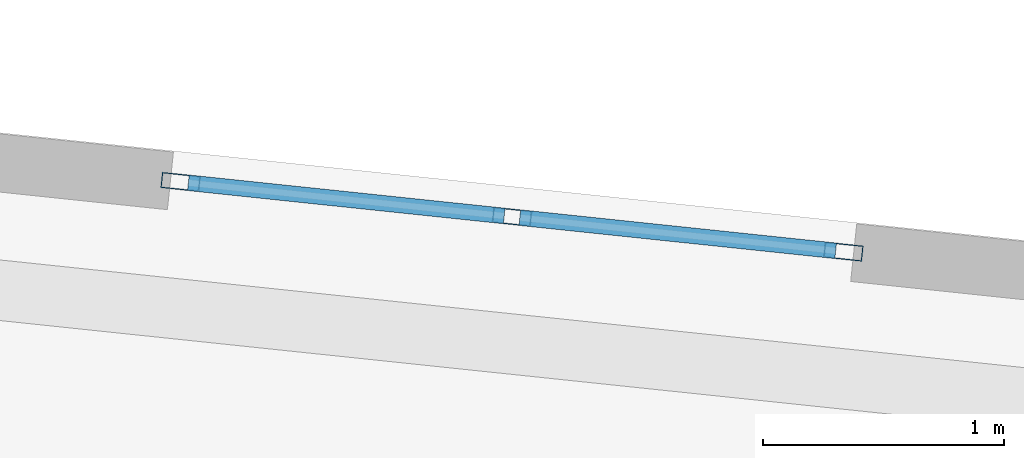
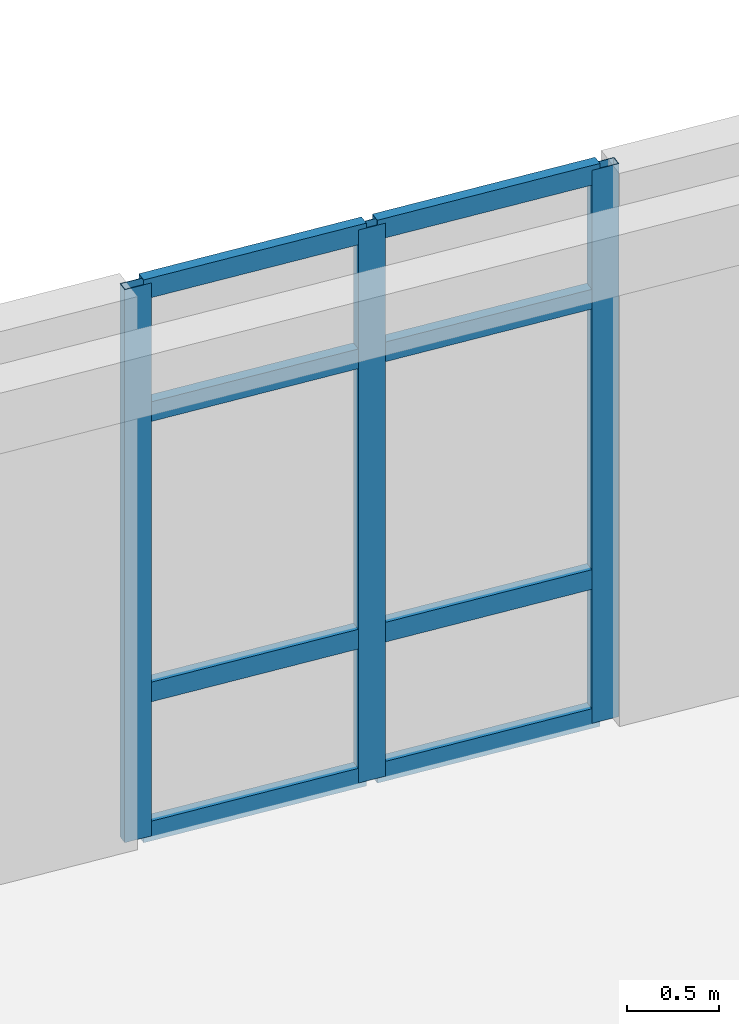
# One storey, part 64 of 150: 11 members, 1 element without a shape of its own.
"""IFC4 building model written with IfcOpenShell, lengths in metres."""

import ifcopenshell
import ifcopenshell.guid

model = None  # the IFC model being written
_history = None  # IfcOwnerHistory: only IFC2X3 demands one
_inside = {}  # id of a spatial element -> (the spatial element, [elements in it])
_under = {}  # id of a project, library or spatial element -> (it, [spatial elements below it])
_declared = {}  # id of a project -> (the project, [libraries it declares])
_typed = {}  # id of a type object -> (the type object, [elements of that type])
_made_of = {}  # id of a material, layer set ... -> (it, [elements and type objects made of it])


def new_model(schema):
    """Start an empty IFC model of exactly this schema.

    Asked for "IFC4X3", IfcOpenShell would pick the latest addendum, in which some entities
    have other attributes; the version numbers below select the first issue.
    IFC2X3 requires an IfcOwnerHistory on every rooted entity: one is made here for all.
    """
    global model, _history
    if schema == "IFC4X3":
        model = ifcopenshell.file(schema_version=(4, 3, 0, 0))
    else:
        model = ifcopenshell.file(schema=schema)
    _inside.clear()
    _under.clear()
    _declared.clear()
    _typed.clear()
    _made_of.clear()
    _history = None
    if model.schema == "IFC2X3":
        org = make("IfcOrganization", Name="unknown")
        user = make(
            "IfcPersonAndOrganization",
            ThePerson=make("IfcPerson", FamilyName="unknown"),
            TheOrganization=org,
        )
        app = make(
            "IfcApplication",
            ApplicationDeveloper=org,
            Version="unknown",
            ApplicationFullName="unknown",
            ApplicationIdentifier="unknown",
        )
        _history = make(
            "IfcOwnerHistory",
            OwningUser=user,
            OwningApplication=app,
            ChangeAction="ADDED",
            CreationDate=0,
        )
    return model


def make(cls, **values):
    """One entity of the class cls with the attributes given. An attribute that is None is left unset."""
    return model.create_entity(
        cls, **{name: value for name, value in values.items() if value is not None}
    )


def rooted(cls, **values):
    """An entity with a GlobalId (a new one), such as an element, a storey or a relation."""
    return make(cls, GlobalId=ifcopenshell.guid.new(), OwnerHistory=_history, **values)


def si_unit(unit_type, name, prefix=None):
    """IfcSIUnit, for example si_unit("LENGTHUNIT", "METRE", prefix="MILLI")."""
    return make("IfcSIUnit", UnitType=unit_type, Prefix=prefix, Name=name)


def assignment(units):
    """IfcUnitAssignment: the units of a project."""
    return None if units is None else make("IfcUnitAssignment", Units=units)


def point(xyz):
    """IfcCartesianPoint."""
    return None if xyz is None else make("IfcCartesianPoint", Coordinates=xyz)


def direction(xyz):
    """IfcDirection."""
    return None if xyz is None else make("IfcDirection", DirectionRatios=xyz)


def frame(location, z_axis=None, x_axis=None):
    """IfcAxis2Placement3D, a coordinate frame: its origin and axes. An axis left out is left unset."""
    return make(
        "IfcAxis2Placement3D",
        Location=point(location),
        Axis=direction(z_axis),
        RefDirection=direction(x_axis),
    )


def frame_2d(location, x_axis=None):
    """IfcAxis2Placement2D, a coordinate frame in the plane: its origin and x axis."""
    return make(
        "IfcAxis2Placement2D", Location=point(location), RefDirection=direction(x_axis)
    )


def origin():
    """The frame at (0, 0, 0) with its axes left unset."""
    return frame((0.0, 0.0, 0.0))


def origin_2d():
    """The frame at (0, 0) in the plane with its x axis left unset."""
    return frame_2d((0.0, 0.0))


def place(relative_to, where):
    """IfcLocalPlacement: puts the frame where relative to a parent placement (None: the world)."""
    return make(
        "IfcLocalPlacement", PlacementRelTo=relative_to, RelativePlacement=where
    )


def context(
    kind, dimensions, precision=None, world=None, true_north=None, identifier=None
):
    """IfcGeometricRepresentationContext, for example the 3D "Model" context."""
    return make(
        "IfcGeometricRepresentationContext",
        ContextIdentifier=identifier,
        ContextType=kind,
        CoordinateSpaceDimension=dimensions,
        Precision=precision,
        WorldCoordinateSystem=world,
        TrueNorth=true_north,
    )


def subcontext(parent, identifier, kind, view, scale=None):
    """IfcGeometricRepresentationSubContext, for example "Body" below "Model"."""
    return make(
        "IfcGeometricRepresentationSubContext",
        ContextIdentifier=identifier,
        ContextType=kind,
        ParentContext=parent,
        TargetScale=scale,
        TargetView=view,
    )


def project(units=None, contexts=None):
    """IfcProject with its units and contexts."""
    return rooted(
        "IfcProject",
        Name="project",
        RepresentationContexts=contexts,
        UnitsInContext=assignment(units),
    )


def spatial(cls, under=None, at=None, **own):
    """A site, building, storey or space (cls), placed at a placement, below another one or the project."""
    s = rooted(cls, ObjectPlacement=at, **own)
    if under is not None:
        _under.setdefault(under.id(), (under, []))[1].append(s)
    return s


def profile(cls, at=None, kind="AREA", **sizes):
    """A parametric profile (cls). Its sizes go by their IFC names, for example OverallWidth=200.0."""
    return make(cls, ProfileType=kind, Position=at, **sizes)


def hollow_rectangle(**sizes):
    """IfcRectangleHollowProfileDef."""
    return profile("IfcRectangleHollowProfileDef", **sizes)


def extrude(swept, where, along, depth):
    """IfcExtrudedAreaSolid: the profile swept, set in the frame where, extruded along a direction by depth."""
    return make(
        "IfcExtrudedAreaSolid",
        SweptArea=swept,
        Position=where,
        ExtrudedDirection=direction(along),
        Depth=depth,
    )


def shape(context_of_items, identifier, shape_type, items):
    """IfcShapeRepresentation: the items that make up one representation, for example the "Body"."""
    return make(
        "IfcShapeRepresentation",
        ContextOfItems=context_of_items,
        RepresentationIdentifier=identifier,
        RepresentationType=shape_type,
        Items=items,
    )


def material(Name=None, Category=None):
    """IfcMaterial."""
    return make("IfcMaterial", Name=Name, Category=Category)


def material_profile(
    of_material, cross_section, Name=None, Category=None, Priority=None
):
    """IfcMaterialProfile: a cross section and its material."""
    return make(
        "IfcMaterialProfile",
        Name=Name,
        Material=of_material,
        Profile=cross_section,
        Priority=Priority,
        Category=Category,
    )


def profile_set(profiles, Name=None, composite=None):
    """IfcMaterialProfileSet."""
    return make(
        "IfcMaterialProfileSet",
        Name=Name,
        MaterialProfiles=profiles,
        CompositeProfile=composite,
    )


def made_of(thing, what):
    """Note that an element or type object is made of a material, layer set ...; save() writes the relation."""
    if what is not None:
        _made_of.setdefault(what.id(), (what, []))[1].append(thing)
    return thing


def type_object(cls, material=None, **own):
    """A type object (cls), such as IfcWallType, which elements share."""
    return made_of(rooted(cls, **own), material)


def element(
    cls,
    number,
    at=None,
    inside=None,
    cuts=None,
    type_object=None,
    material=None,
    context=None,
    identifier="Body",
    shape_type=None,
    held_by="IfcProductDefinitionShape",
    body=None,
    shapes=None,
    **own,
):
    """One element of the class cls, such as IfcWall. Its Tag is "e" and its number.

    at: its placement. inside: the storey or other place that contains it. cuts: it is an
    opening in that element (IfcRelVoidsElement). A single representation is given by context,
    identifier, shape_type and body (its items); several are given by shapes. held_by: the class
    of the entity that holds the representations. save() writes the other relations.
    """
    e = rooted(cls, Tag="e%d" % number, ObjectPlacement=at, **own)
    if body is not None:
        shapes = [shape(context, identifier, shape_type, body)]
    if shapes is not None:
        e.Representation = make(held_by, Representations=shapes)
    if inside is not None:
        _inside.setdefault(inside.id(), (inside, []))[1].append(e)
    if cuts is not None:
        rooted(
            "IfcRelVoidsElement", RelatingBuildingElement=cuts, RelatedOpeningElement=e
        )
    if type_object is not None:
        _typed.setdefault(type_object.id(), (type_object, []))[1].append(e)
    return made_of(e, material)


def aggregate(whole, parts):
    """IfcRelAggregates: a whole, such as a stair, and the parts it consists of."""
    return rooted("IfcRelAggregates", RelatingObject=whole, RelatedObjects=parts)


def save(model, path):
    """Write the relations noted so far, then the file.

    IfcRelAggregates (storeys below a building ...), IfcRelContainedInSpatialStructure (elements
    in a storey), IfcRelDefinesByType, IfcRelAssociatesMaterial and IfcRelDeclares: one each for
    every whole, place, type object, material and project.
    """
    for whole, parts in _under.values():
        aggregate(whole, parts)
    for where, things in _inside.values():
        rooted(
            "IfcRelContainedInSpatialStructure",
            RelatedElements=things,
            RelatingStructure=where,
        )
    for kind, things in _typed.values():
        rooted("IfcRelDefinesByType", RelatedObjects=things, RelatingType=kind)
    for what, things in _made_of.values():
        rooted("IfcRelAssociatesMaterial", RelatedObjects=things, RelatingMaterial=what)
    for by, libraries in _declared.values():
        rooted("IfcRelDeclares", RelatingContext=by, RelatedDefinitions=libraries)
    model.write(path)


model = new_model("IFC4")

# Units and contexts
model_context = context("Model", 3, precision=1e-05, world=origin(), true_north=direction((0.0, 1.0)))
body_context = subcontext(model_context, "Body", "Model", "MODEL_VIEW")
ifc_project = project(units=[si_unit("LENGTHUNIT", "METRE"), si_unit("AREAUNIT", "SQUARE_METRE"), si_unit("VOLUMEUNIT", "CUBIC_METRE"), si_unit("PLANEANGLEUNIT", "RADIAN"), si_unit("MASSUNIT", "GRAM", prefix="KILO")], contexts=[model_context])

# Site, building, storey
site_placement = place(None, origin())
site = spatial("IfcSite", under=ifc_project, at=site_placement, CompositionType="ELEMENT")
building_placement = place(site_placement, origin())
building = spatial("IfcBuilding", under=site, at=building_placement, Name="Kestramere Prow Commons", CompositionType="ELEMENT")
storey_placement = place(building_placement, frame((0.0, 0.0, 4.5)))
storey = spatial("IfcBuildingStorey", under=building, at=storey_placement, Name="L01", CompositionType="ELEMENT", Elevation=4.5)

# Curtain wall, members
ifc_material_1 = material(Name="Anodised Aluminium and Low-E Glass", Category="aluminium")
curtain_wall_type = type_object("IfcCurtainWallType", Name="CW-02 Glazed Curtain Wall 2830x3650", PredefinedType="USERDEFINED", material=ifc_material_1)
curtain_wall_placement = place(storey_placement, origin())
curtain_wall = element("IfcCurtainWall", 1, at=curtain_wall_placement, inside=storey, type_object=curtain_wall_type, Name="Block B L01 Stairwell Vertical Glazing 5", ObjectType="GLAZED CURTAIN WALL", PredefinedType="USERDEFINED")
ifc_material_2 = material(Name="Anodised Aluminium 6063-T6", Category="aluminium")
ifc_material_profile_1 = material_profile(ifc_material_2, hollow_rectangle(XDim=0.06494140625, YDim=0.159912109375, WallThickness=0.00390625, at=origin_2d()), Name="ALU-MUL 65x160")
ifc_profile_set_1 = profile_set([ifc_material_profile_1], Name="Anodised Aluminium 6063-T6")
member_type_1 = type_object("IfcMemberType", Name="CW-MUL-65x160", PredefinedType="MULLION", material=ifc_profile_set_1)
member_1_placement = place(storey_placement, frame((146.531494140625, 111.1962890625, 0.0), z_axis=(0.0, 0.0, 1.0), x_axis=(0.104528269348, 0.99452191575, 0.0)))
member_1 = element("IfcMember", 2, at=member_1_placement, type_object=member_type_1, Name="CW-02 mullion 1", PredefinedType="MULLION", context=body_context, shape_type="SweptSolid", body=[
    extrude(hollow_rectangle(XDim=0.06494140625, YDim=0.159912109375, WallThickness=0.00390625, at=origin_2d()), origin(), (0.0, 0.0, 1.0), 3.64990234375),
])
member_2_placement = place(storey_placement, frame((147.906494140625, 111.0517578125, 0.0), z_axis=(0.0, 0.0, 1.0), x_axis=(0.104528269348, 0.99452191575, 0.0)))
member_2 = element("IfcMember", 3, at=member_2_placement, type_object=member_type_1, Name="CW-02 mullion 2", PredefinedType="MULLION", context=body_context, shape_type="SweptSolid", body=[
    extrude(hollow_rectangle(XDim=0.06494140625, YDim=0.159912109375, WallThickness=0.00390625, at=origin_2d()), origin(), (0.0, 0.0, 1.0), 3.64990234375),
])
member_3_placement = place(storey_placement, frame((149.28125, 110.9072265625, 0.0), z_axis=(0.0, 0.0, 1.0), x_axis=(0.104528269348, 0.99452191575, 0.0)))
member_3 = element("IfcMember", 4, at=member_3_placement, type_object=member_type_1, Name="CW-02 mullion 3", PredefinedType="MULLION", context=body_context, shape_type="SweptSolid", body=[
    extrude(hollow_rectangle(XDim=0.06494140625, YDim=0.159912109375, WallThickness=0.00390625, at=origin_2d()), origin(), (0.0, 0.0, 1.0), 3.64990234375),
])
ifc_material_profile_2 = material_profile(ifc_material_2, hollow_rectangle(XDim=0.06494140625, YDim=0.1298828125, WallThickness=0.00390625, at=origin_2d()), Name="ALU-TRN 65x130")
ifc_profile_set_2 = profile_set([ifc_material_profile_2], Name="Anodised Aluminium 6063-T6")
member_type_2 = type_object("IfcMemberType", Name="CW-TRN-65x130", PredefinedType="USERDEFINED", material=ifc_profile_set_2)
member_4_placement = place(storey_placement, frame((146.563720703125, 111.19287109375, 0.032470703125), z_axis=(0.994523714271, -0.104511156111, 0.0), x_axis=(0.104511156111, 0.994523714271, 0.0)))
member_4 = element("IfcMember", 5, at=member_4_placement, type_object=member_type_2, Name="CW-02 transom 1.1", ObjectType="TRANSOM", PredefinedType="USERDEFINED", context=body_context, shape_type="SweptSolid", body=[
    extrude(hollow_rectangle(XDim=0.06494140625, YDim=0.1298828125, WallThickness=0.00390625, at=origin_2d()), origin(), (0.0, 0.0, 1.0), 1.317626953125),
])
member_5_placement = place(storey_placement, frame((146.563720703125, 111.19287109375, 0.949951171875), z_axis=(0.994523714271, -0.104511156111, 0.0), x_axis=(0.104511156111, 0.994523714271, 0.0)))
member_5 = element("IfcMember", 6, at=member_5_placement, type_object=member_type_2, Name="CW-02 transom 1.2", ObjectType="TRANSOM", PredefinedType="USERDEFINED", context=body_context, shape_type="SweptSolid", body=[
    extrude(hollow_rectangle(XDim=0.06494140625, YDim=0.1298828125, WallThickness=0.00390625, at=origin_2d()), origin(), (0.0, 0.0, 1.0), 1.317626953125),
])
member_6_placement = place(storey_placement, frame((146.563720703125, 111.19287109375, 2.800048828125), z_axis=(0.994523714271, -0.104511156111, 0.0), x_axis=(0.104511156111, 0.994523714271, 0.0)))
member_6 = element("IfcMember", 7, at=member_6_placement, type_object=member_type_2, Name="CW-02 transom 1.3", ObjectType="TRANSOM", PredefinedType="USERDEFINED", context=body_context, shape_type="SweptSolid", body=[
    extrude(hollow_rectangle(XDim=0.06494140625, YDim=0.1298828125, WallThickness=0.00390625, at=origin_2d()), origin(), (0.0, 0.0, 1.0), 1.317626953125),
])
member_7_placement = place(storey_placement, frame((146.563720703125, 111.19287109375, 3.617431640625), z_axis=(0.994523714271, -0.104511156111, 0.0), x_axis=(0.104511156111, 0.994523714271, 0.0)))
member_7 = element("IfcMember", 8, at=member_7_placement, type_object=member_type_2, Name="CW-02 transom 1.4", ObjectType="TRANSOM", PredefinedType="USERDEFINED", context=body_context, shape_type="SweptSolid", body=[
    extrude(hollow_rectangle(XDim=0.06494140625, YDim=0.1298828125, WallThickness=0.00390625, at=origin_2d()), origin(), (0.0, 0.0, 1.0), 1.317626953125),
])
member_8_placement = place(storey_placement, frame((147.938720703125, 111.04833984375, 0.032470703125), z_axis=(0.994523714271, -0.104511156111, 0.0), x_axis=(0.104511156111, 0.994523714271, 0.0)))
member_8 = element("IfcMember", 9, at=member_8_placement, type_object=member_type_2, Name="CW-02 transom 2.1", ObjectType="TRANSOM", PredefinedType="USERDEFINED", context=body_context, shape_type="SweptSolid", body=[
    extrude(hollow_rectangle(XDim=0.06494140625, YDim=0.1298828125, WallThickness=0.00390625, at=origin_2d()), origin(), (0.0, 0.0, 1.0), 1.317626953125),
])
member_9_placement = place(storey_placement, frame((147.938720703125, 111.04833984375, 0.949951171875), z_axis=(0.994523714271, -0.104511156111, 0.0), x_axis=(0.104511156111, 0.994523714271, 0.0)))
member_9 = element("IfcMember", 10, at=member_9_placement, type_object=member_type_2, Name="CW-02 transom 2.2", ObjectType="TRANSOM", PredefinedType="USERDEFINED", context=body_context, shape_type="SweptSolid", body=[
    extrude(hollow_rectangle(XDim=0.06494140625, YDim=0.1298828125, WallThickness=0.00390625, at=origin_2d()), origin(), (0.0, 0.0, 1.0), 1.317626953125),
])
member_10_placement = place(storey_placement, frame((147.938720703125, 111.04833984375, 2.800048828125), z_axis=(0.994523714271, -0.104511156111, 0.0), x_axis=(0.104511156111, 0.994523714271, 0.0)))
member_10 = element("IfcMember", 11, at=member_10_placement, type_object=member_type_2, Name="CW-02 transom 2.3", ObjectType="TRANSOM", PredefinedType="USERDEFINED", context=body_context, shape_type="SweptSolid", body=[
    extrude(hollow_rectangle(XDim=0.06494140625, YDim=0.1298828125, WallThickness=0.00390625, at=origin_2d()), origin(), (0.0, 0.0, 1.0), 1.317626953125),
])
member_11_placement = place(storey_placement, frame((147.938720703125, 111.04833984375, 3.617431640625), z_axis=(0.994523714271, -0.104511156111, 0.0), x_axis=(0.104511156111, 0.994523714271, 0.0)))
member_11 = element("IfcMember", 12, at=member_11_placement, type_object=member_type_2, Name="CW-02 transom 2.4", ObjectType="TRANSOM", PredefinedType="USERDEFINED", context=body_context, shape_type="SweptSolid", body=[
    extrude(hollow_rectangle(XDim=0.06494140625, YDim=0.1298828125, WallThickness=0.00390625, at=origin_2d()), origin(), (0.0, 0.0, 1.0), 1.317626953125),
])
aggregate(curtain_wall, [member_1, member_2, member_3, member_4, member_5, member_6, member_7, member_8, member_9, member_10, member_11])

save(model, "model.ifc")
